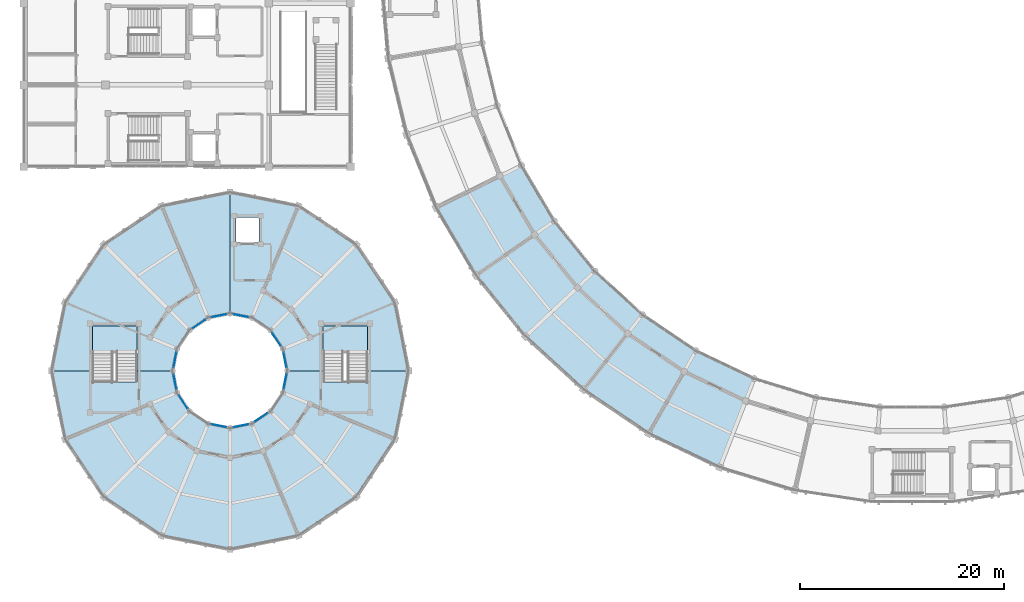
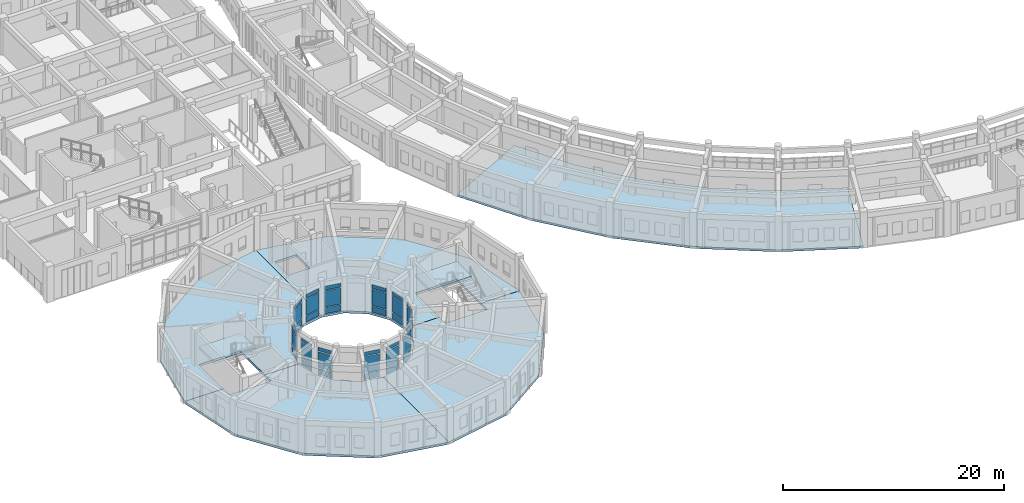
# One storey, part 102 of 159: 36 plates, 7 slabs, 14 elements without a shape of their own.
"""IFC4 building model written with IfcOpenShell, lengths in metres."""

from ifc_helpers import new_model, si_unit, direction, frame, origin, origin_2d, place, context, subcontext, project, spatial, polyline, rectangle, outline, extrude, material, layer, layer_set, type_object, element, aggregate, save


model = new_model("IFC4")

# Units and contexts
model_context = context("Model", 3, precision=1e-05, world=origin(), true_north=direction((0.0, 1.0)))
body_context = subcontext(model_context, "Body", "Model", "MODEL_VIEW")
ifc_project = project(units=[si_unit("LENGTHUNIT", "METRE"), si_unit("AREAUNIT", "SQUARE_METRE"), si_unit("VOLUMEUNIT", "CUBIC_METRE"), si_unit("PLANEANGLEUNIT", "RADIAN"), si_unit("MASSUNIT", "GRAM", prefix="KILO")], contexts=[model_context])

# Site, building, storey
site_placement = place(None, origin())
site = spatial("IfcSite", under=ifc_project, at=site_placement, CompositionType="ELEMENT")
building_placement = place(site_placement, origin())
building = spatial("IfcBuilding", under=site, at=building_placement, Name="Celadon Cloister-Ring School", CompositionType="ELEMENT")
storey_placement = place(building_placement, frame((0.0, 0.0, 4.5)))
storey = spatial("IfcBuildingStorey", under=building, at=storey_placement, Name="L01", CompositionType="ELEMENT", Elevation=4.5)

# Curtain wall, plates
ifc_material_1 = material(Name="Aluminium EN AW-6063 T6", Category="aluminium")
curtain_wall_type = type_object("IfcCurtainWallType", Name="CW-04", PredefinedType="USERDEFINED", material=ifc_material_1)
curtain_wall_1_placement = place(storey_placement, origin())
curtain_wall_1 = element("IfcCurtainWall", 1, at=curtain_wall_1_placement, inside=storey, type_object=curtain_wall_type, Name="Curtain Wall 0139", ObjectType="CURTAIN WALL", PredefinedType="USERDEFINED")
ifc_material_2 = material(Name="Tempered laminated insulating glass", Category="glass")
ifc_layer_1 = layer(ifc_material_2, 0.02001953125)
ifc_layer_set_1 = layer_set([ifc_layer_1], Name="Tempered laminated insulating glass")
plate_type = type_object("IfcPlateType", Name="CPN-01", PredefinedType="CURTAIN_PANEL", material=ifc_layer_set_1)
plate_1_placement = place(storey_placement, frame((25.5869140625, 21.071533203125, 0.090087890625), z_axis=(0.0, 0.0, 1.0), x_axis=(-0.194586131301, 0.980885435464, 0.0)))
plate_1 = element("IfcPlate", 2, at=plate_1_placement, type_object=plate_type, Name="CW-04 panel 1.1", PredefinedType="CURTAIN_PANEL", context=body_context, shape_type="SweptSolid", body=[
    extrude(rectangle(XDim=1.4443359375, YDim=0.02001953125, at=origin_2d()), origin(), (0.0, 0.0, 1.0), 0.6650390625),
])
plate_2_placement = place(storey_placement, frame((25.5869140625, 21.071533203125, 0.84521484375), z_axis=(0.0, 0.0, 1.0), x_axis=(-0.194586131301, 0.980885435464, 0.0)))
plate_2 = element("IfcPlate", 3, at=plate_2_placement, type_object=plate_type, Name="CW-04 panel 1.2", PredefinedType="CURTAIN_PANEL", context=body_context, shape_type="SweptSolid", body=[
    extrude(rectangle(XDim=1.4443359375, YDim=0.02001953125, at=origin_2d()), origin(), (0.0, 0.0, 1.0), 1.781982421875),
])
plate_3_placement = place(storey_placement, frame((25.5869140625, 21.071533203125, 2.717041015625), z_axis=(0.0, 0.0, 1.0), x_axis=(-0.194586131301, 0.980885435464, 0.0)))
plate_3 = element("IfcPlate", 4, at=plate_3_placement, type_object=plate_type, Name="CW-04 panel 1.3", PredefinedType="CURTAIN_PANEL", context=body_context, shape_type="SweptSolid", body=[
    extrude(rectangle(XDim=1.4443359375, YDim=0.02001953125, at=origin_2d()), origin(), (0.0, 0.0, 1.0), 0.4150390625),
])
aggregate(curtain_wall_1, [plate_1, plate_2, plate_3])

curtain_wall_2_placement = place(storey_placement, origin())
curtain_wall_2 = element("IfcCurtainWall", 5, at=curtain_wall_2_placement, inside=storey, type_object=curtain_wall_type, Name="Curtain Wall 0140", ObjectType="CURTAIN WALL", PredefinedType="USERDEFINED")
plate_4_placement = place(storey_placement, frame((24.76708984375, 23.051513671875, 0.090087890625), z_axis=(0.0, 0.0, 1.0), x_axis=(-0.555547066224, 0.831485091394, 0.0)))
plate_4 = element("IfcPlate", 6, at=plate_4_placement, type_object=plate_type, Name="CW-04 panel 1.1", PredefinedType="CURTAIN_PANEL", context=body_context, shape_type="SweptSolid", body=[
    extrude(rectangle(XDim=1.4443359375, YDim=0.02001953125, at=origin_2d()), origin(), (0.0, 0.0, 1.0), 0.6650390625),
])
plate_5_placement = place(storey_placement, frame((24.76708984375, 23.051513671875, 0.84521484375), z_axis=(0.0, 0.0, 1.0), x_axis=(-0.555547066224, 0.831485091394, 0.0)))
plate_5 = element("IfcPlate", 7, at=plate_5_placement, type_object=plate_type, Name="CW-04 panel 1.2", PredefinedType="CURTAIN_PANEL", context=body_context, shape_type="SweptSolid", body=[
    extrude(rectangle(XDim=1.4443359375, YDim=0.02001953125, at=origin_2d()), origin(), (0.0, 0.0, 1.0), 1.781982421875),
])
plate_6_placement = place(storey_placement, frame((24.76708984375, 23.051513671875, 2.717041015625), z_axis=(0.0, 0.0, 1.0), x_axis=(-0.555547066224, 0.831485091394, 0.0)))
plate_6 = element("IfcPlate", 8, at=plate_6_placement, type_object=plate_type, Name="CW-04 panel 1.3", PredefinedType="CURTAIN_PANEL", context=body_context, shape_type="SweptSolid", body=[
    extrude(rectangle(XDim=1.4443359375, YDim=0.02001953125, at=origin_2d()), origin(), (0.0, 0.0, 1.0), 0.4150390625),
])
aggregate(curtain_wall_2, [plate_4, plate_5, plate_6])

curtain_wall_3_placement = place(storey_placement, origin())
curtain_wall_3 = element("IfcCurtainWall", 9, at=curtain_wall_3_placement, inside=storey, type_object=curtain_wall_type, Name="Curtain Wall 0141", ObjectType="CURTAIN WALL", PredefinedType="USERDEFINED")
plate_7_placement = place(storey_placement, frame((21.271484375, 25.386962890625, 0.090087890625), z_axis=(0.0, 0.0, 1.0), x_axis=(-0.980885435464, 0.194586131301, 0.0)))
plate_7 = element("IfcPlate", 10, at=plate_7_placement, type_object=plate_type, Name="CW-04 panel 1.1", PredefinedType="CURTAIN_PANEL", context=body_context, shape_type="SweptSolid", body=[
    extrude(rectangle(XDim=1.4443359375, YDim=0.02001953125, at=origin_2d()), origin(), (0.0, 0.0, 1.0), 0.6650390625),
])
plate_8_placement = place(storey_placement, frame((21.271484375, 25.386962890625, 0.84521484375), z_axis=(0.0, 0.0, 1.0), x_axis=(-0.980885435464, 0.194586131301, 0.0)))
plate_8 = element("IfcPlate", 11, at=plate_8_placement, type_object=plate_type, Name="CW-04 panel 1.2", PredefinedType="CURTAIN_PANEL", context=body_context, shape_type="SweptSolid", body=[
    extrude(rectangle(XDim=1.4443359375, YDim=0.02001953125, at=origin_2d()), origin(), (0.0, 0.0, 1.0), 1.781982421875),
])
plate_9_placement = place(storey_placement, frame((21.271484375, 25.386962890625, 2.717041015625), z_axis=(0.0, 0.0, 1.0), x_axis=(-0.980885435464, 0.194586131301, 0.0)))
plate_9 = element("IfcPlate", 12, at=plate_9_placement, type_object=plate_type, Name="CW-04 panel 1.3", PredefinedType="CURTAIN_PANEL", context=body_context, shape_type="SweptSolid", body=[
    extrude(rectangle(XDim=1.4443359375, YDim=0.02001953125, at=origin_2d()), origin(), (0.0, 0.0, 1.0), 0.4150390625),
])
aggregate(curtain_wall_3, [plate_7, plate_8, plate_9])

curtain_wall_4_placement = place(storey_placement, origin())
curtain_wall_4 = element("IfcCurtainWall", 13, at=curtain_wall_4_placement, inside=storey, type_object=curtain_wall_type, Name="Curtain Wall 0142", ObjectType="CURTAIN WALL", PredefinedType="USERDEFINED")
plate_10_placement = place(storey_placement, frame((19.12841796875, 25.386962890625, 0.090087890625), z_axis=(0.0, 0.0, 1.0), x_axis=(-0.980885435464, -0.194586131301, 0.0)))
plate_10 = element("IfcPlate", 14, at=plate_10_placement, type_object=plate_type, Name="CW-04 panel 1.1", PredefinedType="CURTAIN_PANEL", context=body_context, shape_type="SweptSolid", body=[
    extrude(rectangle(XDim=1.4443359375, YDim=0.02001953125, at=origin_2d()), origin(), (0.0, 0.0, 1.0), 0.6650390625),
])
plate_11_placement = place(storey_placement, frame((19.12841796875, 25.386962890625, 0.84521484375), z_axis=(0.0, 0.0, 1.0), x_axis=(-0.980885435464, -0.194586131301, 0.0)))
plate_11 = element("IfcPlate", 15, at=plate_11_placement, type_object=plate_type, Name="CW-04 panel 1.2", PredefinedType="CURTAIN_PANEL", context=body_context, shape_type="SweptSolid", body=[
    extrude(rectangle(XDim=1.4443359375, YDim=0.02001953125, at=origin_2d()), origin(), (0.0, 0.0, 1.0), 1.781982421875),
])
plate_12_placement = place(storey_placement, frame((19.12841796875, 25.386962890625, 2.717041015625), z_axis=(0.0, 0.0, 1.0), x_axis=(-0.980885435464, -0.194586131301, 0.0)))
plate_12 = element("IfcPlate", 16, at=plate_12_placement, type_object=plate_type, Name="CW-04 panel 1.3", PredefinedType="CURTAIN_PANEL", context=body_context, shape_type="SweptSolid", body=[
    extrude(rectangle(XDim=1.4443359375, YDim=0.02001953125, at=origin_2d()), origin(), (0.0, 0.0, 1.0), 0.4150390625),
])
aggregate(curtain_wall_4, [plate_10, plate_11, plate_12])

curtain_wall_5_placement = place(storey_placement, origin())
curtain_wall_5 = element("IfcCurtainWall", 17, at=curtain_wall_5_placement, inside=storey, type_object=curtain_wall_type, Name="Curtain Wall 0143", ObjectType="CURTAIN WALL", PredefinedType="USERDEFINED")
plate_13_placement = place(storey_placement, frame((17.1484375, 24.56689453125, 0.090087890625), z_axis=(0.0, 0.0, 1.0), x_axis=(-0.831485091394, -0.555547066224, 0.0)))
plate_13 = element("IfcPlate", 18, at=plate_13_placement, type_object=plate_type, Name="CW-04 panel 1.1", PredefinedType="CURTAIN_PANEL", context=body_context, shape_type="SweptSolid", body=[
    extrude(rectangle(XDim=1.4443359375, YDim=0.02001953125, at=origin_2d()), origin(), (0.0, 0.0, 1.0), 0.6650390625),
])
plate_14_placement = place(storey_placement, frame((17.1484375, 24.56689453125, 0.84521484375), z_axis=(0.0, 0.0, 1.0), x_axis=(-0.831485091394, -0.555547066224, 0.0)))
plate_14 = element("IfcPlate", 19, at=plate_14_placement, type_object=plate_type, Name="CW-04 panel 1.2", PredefinedType="CURTAIN_PANEL", context=body_context, shape_type="SweptSolid", body=[
    extrude(rectangle(XDim=1.4443359375, YDim=0.02001953125, at=origin_2d()), origin(), (0.0, 0.0, 1.0), 1.781982421875),
])
plate_15_placement = place(storey_placement, frame((17.1484375, 24.56689453125, 2.717041015625), z_axis=(0.0, 0.0, 1.0), x_axis=(-0.831485091394, -0.555547066224, 0.0)))
plate_15 = element("IfcPlate", 20, at=plate_15_placement, type_object=plate_type, Name="CW-04 panel 1.3", PredefinedType="CURTAIN_PANEL", context=body_context, shape_type="SweptSolid", body=[
    extrude(rectangle(XDim=1.4443359375, YDim=0.02001953125, at=origin_2d()), origin(), (0.0, 0.0, 1.0), 0.4150390625),
])
aggregate(curtain_wall_5, [plate_13, plate_14, plate_15])

curtain_wall_6_placement = place(storey_placement, origin())
curtain_wall_6 = element("IfcCurtainWall", 21, at=curtain_wall_6_placement, inside=storey, type_object=curtain_wall_type, Name="Curtain Wall 0144", ObjectType="CURTAIN WALL", PredefinedType="USERDEFINED")
plate_16_placement = place(storey_placement, frame((14.81298828125, 21.071533203125, 0.090087890625), z_axis=(0.0, 0.0, 1.0), x_axis=(-0.194586131301, -0.980885435464, 0.0)))
plate_16 = element("IfcPlate", 22, at=plate_16_placement, type_object=plate_type, Name="CW-04 panel 1.1", PredefinedType="CURTAIN_PANEL", context=body_context, shape_type="SweptSolid", body=[
    extrude(rectangle(XDim=1.4443359375, YDim=0.02001953125, at=origin_2d()), origin(), (0.0, 0.0, 1.0), 0.6650390625),
])
plate_17_placement = place(storey_placement, frame((14.81298828125, 21.071533203125, 0.84521484375), z_axis=(0.0, 0.0, 1.0), x_axis=(-0.194586131301, -0.980885435464, 0.0)))
plate_17 = element("IfcPlate", 23, at=plate_17_placement, type_object=plate_type, Name="CW-04 panel 1.2", PredefinedType="CURTAIN_PANEL", context=body_context, shape_type="SweptSolid", body=[
    extrude(rectangle(XDim=1.4443359375, YDim=0.02001953125, at=origin_2d()), origin(), (0.0, 0.0, 1.0), 1.781982421875),
])
plate_18_placement = place(storey_placement, frame((14.81298828125, 21.071533203125, 2.717041015625), z_axis=(0.0, 0.0, 1.0), x_axis=(-0.194586131301, -0.980885435464, 0.0)))
plate_18 = element("IfcPlate", 24, at=plate_18_placement, type_object=plate_type, Name="CW-04 panel 1.3", PredefinedType="CURTAIN_PANEL", context=body_context, shape_type="SweptSolid", body=[
    extrude(rectangle(XDim=1.4443359375, YDim=0.02001953125, at=origin_2d()), origin(), (0.0, 0.0, 1.0), 0.4150390625),
])
aggregate(curtain_wall_6, [plate_16, plate_17, plate_18])

curtain_wall_7_placement = place(storey_placement, origin())
curtain_wall_7 = element("IfcCurtainWall", 25, at=curtain_wall_7_placement, inside=storey, type_object=curtain_wall_type, Name="Curtain Wall 0145", ObjectType="CURTAIN WALL", PredefinedType="USERDEFINED")
plate_19_placement = place(storey_placement, frame((14.81298828125, 18.928466796875, 0.090087890625), z_axis=(0.0, 0.0, 1.0), x_axis=(0.194586131301, -0.980885435464, 0.0)))
plate_19 = element("IfcPlate", 26, at=plate_19_placement, type_object=plate_type, Name="CW-04 panel 1.1", PredefinedType="CURTAIN_PANEL", context=body_context, shape_type="SweptSolid", body=[
    extrude(rectangle(XDim=1.4443359375, YDim=0.02001953125, at=origin_2d()), origin(), (0.0, 0.0, 1.0), 0.6650390625),
])
plate_20_placement = place(storey_placement, frame((14.81298828125, 18.928466796875, 0.84521484375), z_axis=(0.0, 0.0, 1.0), x_axis=(0.194586131301, -0.980885435464, 0.0)))
plate_20 = element("IfcPlate", 27, at=plate_20_placement, type_object=plate_type, Name="CW-04 panel 1.2", PredefinedType="CURTAIN_PANEL", context=body_context, shape_type="SweptSolid", body=[
    extrude(rectangle(XDim=1.4443359375, YDim=0.02001953125, at=origin_2d()), origin(), (0.0, 0.0, 1.0), 1.781982421875),
])
plate_21_placement = place(storey_placement, frame((14.81298828125, 18.928466796875, 2.717041015625), z_axis=(0.0, 0.0, 1.0), x_axis=(0.194586131301, -0.980885435464, 0.0)))
plate_21 = element("IfcPlate", 28, at=plate_21_placement, type_object=plate_type, Name="CW-04 panel 1.3", PredefinedType="CURTAIN_PANEL", context=body_context, shape_type="SweptSolid", body=[
    extrude(rectangle(XDim=1.4443359375, YDim=0.02001953125, at=origin_2d()), origin(), (0.0, 0.0, 1.0), 0.4150390625),
])
aggregate(curtain_wall_7, [plate_19, plate_20, plate_21])

curtain_wall_8_placement = place(storey_placement, origin())
curtain_wall_8 = element("IfcCurtainWall", 29, at=curtain_wall_8_placement, inside=storey, type_object=curtain_wall_type, Name="Curtain Wall 0146", ObjectType="CURTAIN WALL", PredefinedType="USERDEFINED")
plate_22_placement = place(storey_placement, frame((15.633056640625, 16.948486328125, 0.090087890625), z_axis=(0.0, 0.0, 1.0), x_axis=(0.555547066224, -0.831485091394, 0.0)))
plate_22 = element("IfcPlate", 30, at=plate_22_placement, type_object=plate_type, Name="CW-04 panel 1.1", PredefinedType="CURTAIN_PANEL", context=body_context, shape_type="SweptSolid", body=[
    extrude(rectangle(XDim=1.4443359375, YDim=0.02001953125, at=origin_2d()), origin(), (0.0, 0.0, 1.0), 0.6650390625),
])
plate_23_placement = place(storey_placement, frame((15.633056640625, 16.948486328125, 0.84521484375), z_axis=(0.0, 0.0, 1.0), x_axis=(0.555547066224, -0.831485091394, 0.0)))
plate_23 = element("IfcPlate", 31, at=plate_23_placement, type_object=plate_type, Name="CW-04 panel 1.2", PredefinedType="CURTAIN_PANEL", context=body_context, shape_type="SweptSolid", body=[
    extrude(rectangle(XDim=1.4443359375, YDim=0.02001953125, at=origin_2d()), origin(), (0.0, 0.0, 1.0), 1.781982421875),
])
plate_24_placement = place(storey_placement, frame((15.633056640625, 16.948486328125, 2.717041015625), z_axis=(0.0, 0.0, 1.0), x_axis=(0.555547066224, -0.831485091394, 0.0)))
plate_24 = element("IfcPlate", 32, at=plate_24_placement, type_object=plate_type, Name="CW-04 panel 1.3", PredefinedType="CURTAIN_PANEL", context=body_context, shape_type="SweptSolid", body=[
    extrude(rectangle(XDim=1.4443359375, YDim=0.02001953125, at=origin_2d()), origin(), (0.0, 0.0, 1.0), 0.4150390625),
])
aggregate(curtain_wall_8, [plate_22, plate_23, plate_24])

curtain_wall_9_placement = place(storey_placement, origin())
curtain_wall_9 = element("IfcCurtainWall", 33, at=curtain_wall_9_placement, inside=storey, type_object=curtain_wall_type, Name="Curtain Wall 0147", ObjectType="CURTAIN WALL", PredefinedType="USERDEFINED")
plate_25_placement = place(storey_placement, frame((19.12841796875, 14.613037109375, 0.090087890625), z_axis=(0.0, 0.0, 1.0), x_axis=(0.980885435464, -0.194586131301, 0.0)))
plate_25 = element("IfcPlate", 34, at=plate_25_placement, type_object=plate_type, Name="CW-04 panel 1.1", PredefinedType="CURTAIN_PANEL", context=body_context, shape_type="SweptSolid", body=[
    extrude(rectangle(XDim=1.4443359375, YDim=0.02001953125, at=origin_2d()), origin(), (0.0, 0.0, 1.0), 0.6650390625),
])
plate_26_placement = place(storey_placement, frame((19.12841796875, 14.613037109375, 0.84521484375), z_axis=(0.0, 0.0, 1.0), x_axis=(0.980885435464, -0.194586131301, 0.0)))
plate_26 = element("IfcPlate", 35, at=plate_26_placement, type_object=plate_type, Name="CW-04 panel 1.2", PredefinedType="CURTAIN_PANEL", context=body_context, shape_type="SweptSolid", body=[
    extrude(rectangle(XDim=1.4443359375, YDim=0.02001953125, at=origin_2d()), origin(), (0.0, 0.0, 1.0), 1.781982421875),
])
plate_27_placement = place(storey_placement, frame((19.12841796875, 14.613037109375, 2.717041015625), z_axis=(0.0, 0.0, 1.0), x_axis=(0.980885435464, -0.194586131301, 0.0)))
plate_27 = element("IfcPlate", 36, at=plate_27_placement, type_object=plate_type, Name="CW-04 panel 1.3", PredefinedType="CURTAIN_PANEL", context=body_context, shape_type="SweptSolid", body=[
    extrude(rectangle(XDim=1.4443359375, YDim=0.02001953125, at=origin_2d()), origin(), (0.0, 0.0, 1.0), 0.4150390625),
])
aggregate(curtain_wall_9, [plate_25, plate_26, plate_27])

curtain_wall_10_placement = place(storey_placement, origin())
curtain_wall_10 = element("IfcCurtainWall", 37, at=curtain_wall_10_placement, inside=storey, type_object=curtain_wall_type, Name="Curtain Wall 0148", ObjectType="CURTAIN WALL", PredefinedType="USERDEFINED")
plate_28_placement = place(storey_placement, frame((21.271484375, 14.613037109375, 0.090087890625), z_axis=(0.0, 0.0, 1.0), x_axis=(0.980885435464, 0.194586131301, 0.0)))
plate_28 = element("IfcPlate", 38, at=plate_28_placement, type_object=plate_type, Name="CW-04 panel 1.1", PredefinedType="CURTAIN_PANEL", context=body_context, shape_type="SweptSolid", body=[
    extrude(rectangle(XDim=1.4443359375, YDim=0.02001953125, at=origin_2d()), origin(), (0.0, 0.0, 1.0), 0.6650390625),
])
plate_29_placement = place(storey_placement, frame((21.271484375, 14.613037109375, 0.84521484375), z_axis=(0.0, 0.0, 1.0), x_axis=(0.980885435464, 0.194586131301, 0.0)))
plate_29 = element("IfcPlate", 39, at=plate_29_placement, type_object=plate_type, Name="CW-04 panel 1.2", PredefinedType="CURTAIN_PANEL", context=body_context, shape_type="SweptSolid", body=[
    extrude(rectangle(XDim=1.4443359375, YDim=0.02001953125, at=origin_2d()), origin(), (0.0, 0.0, 1.0), 1.781982421875),
])
plate_30_placement = place(storey_placement, frame((21.271484375, 14.613037109375, 2.717041015625), z_axis=(0.0, 0.0, 1.0), x_axis=(0.980885435464, 0.194586131301, 0.0)))
plate_30 = element("IfcPlate", 40, at=plate_30_placement, type_object=plate_type, Name="CW-04 panel 1.3", PredefinedType="CURTAIN_PANEL", context=body_context, shape_type="SweptSolid", body=[
    extrude(rectangle(XDim=1.4443359375, YDim=0.02001953125, at=origin_2d()), origin(), (0.0, 0.0, 1.0), 0.4150390625),
])
aggregate(curtain_wall_10, [plate_28, plate_29, plate_30])

curtain_wall_11_placement = place(storey_placement, origin())
curtain_wall_11 = element("IfcCurtainWall", 41, at=curtain_wall_11_placement, inside=storey, type_object=curtain_wall_type, Name="Curtain Wall 0149", ObjectType="CURTAIN WALL", PredefinedType="USERDEFINED")
plate_31_placement = place(storey_placement, frame((23.25146484375, 15.43310546875, 0.090087890625), z_axis=(0.0, 0.0, 1.0), x_axis=(0.831485091394, 0.555547066224, 0.0)))
plate_31 = element("IfcPlate", 42, at=plate_31_placement, type_object=plate_type, Name="CW-04 panel 1.1", PredefinedType="CURTAIN_PANEL", context=body_context, shape_type="SweptSolid", body=[
    extrude(rectangle(XDim=1.4443359375, YDim=0.02001953125, at=origin_2d()), origin(), (0.0, 0.0, 1.0), 0.6650390625),
])
plate_32_placement = place(storey_placement, frame((23.25146484375, 15.43310546875, 0.84521484375), z_axis=(0.0, 0.0, 1.0), x_axis=(0.831485091394, 0.555547066224, 0.0)))
plate_32 = element("IfcPlate", 43, at=plate_32_placement, type_object=plate_type, Name="CW-04 panel 1.2", PredefinedType="CURTAIN_PANEL", context=body_context, shape_type="SweptSolid", body=[
    extrude(rectangle(XDim=1.4443359375, YDim=0.02001953125, at=origin_2d()), origin(), (0.0, 0.0, 1.0), 1.781982421875),
])
plate_33_placement = place(storey_placement, frame((23.25146484375, 15.43310546875, 2.717041015625), z_axis=(0.0, 0.0, 1.0), x_axis=(0.831485091394, 0.555547066224, 0.0)))
plate_33 = element("IfcPlate", 44, at=plate_33_placement, type_object=plate_type, Name="CW-04 panel 1.3", PredefinedType="CURTAIN_PANEL", context=body_context, shape_type="SweptSolid", body=[
    extrude(rectangle(XDim=1.4443359375, YDim=0.02001953125, at=origin_2d()), origin(), (0.0, 0.0, 1.0), 0.4150390625),
])
aggregate(curtain_wall_11, [plate_31, plate_32, plate_33])

curtain_wall_12_placement = place(storey_placement, origin())
curtain_wall_12 = element("IfcCurtainWall", 45, at=curtain_wall_12_placement, inside=storey, type_object=curtain_wall_type, Name="Curtain Wall 0150", ObjectType="CURTAIN WALL", PredefinedType="USERDEFINED")
plate_34_placement = place(storey_placement, frame((25.5869140625, 18.928466796875, 0.090087890625), z_axis=(0.0, 0.0, 1.0), x_axis=(0.194586131301, 0.980885435464, 0.0)))
plate_34 = element("IfcPlate", 46, at=plate_34_placement, type_object=plate_type, Name="CW-04 panel 1.1", PredefinedType="CURTAIN_PANEL", context=body_context, shape_type="SweptSolid", body=[
    extrude(rectangle(XDim=1.4443359375, YDim=0.02001953125, at=origin_2d()), origin(), (0.0, 0.0, 1.0), 0.6650390625),
])
plate_35_placement = place(storey_placement, frame((25.5869140625, 18.928466796875, 0.84521484375), z_axis=(0.0, 0.0, 1.0), x_axis=(0.194586131301, 0.980885435464, 0.0)))
plate_35 = element("IfcPlate", 47, at=plate_35_placement, type_object=plate_type, Name="CW-04 panel 1.2", PredefinedType="CURTAIN_PANEL", context=body_context, shape_type="SweptSolid", body=[
    extrude(rectangle(XDim=1.4443359375, YDim=0.02001953125, at=origin_2d()), origin(), (0.0, 0.0, 1.0), 1.781982421875),
])
plate_36_placement = place(storey_placement, frame((25.5869140625, 18.928466796875, 2.717041015625), z_axis=(0.0, 0.0, 1.0), x_axis=(0.194586131301, 0.980885435464, 0.0)))
plate_36 = element("IfcPlate", 48, at=plate_36_placement, type_object=plate_type, Name="CW-04 panel 1.3", PredefinedType="CURTAIN_PANEL", context=body_context, shape_type="SweptSolid", body=[
    extrude(rectangle(XDim=1.4443359375, YDim=0.02001953125, at=origin_2d()), origin(), (0.0, 0.0, 1.0), 0.4150390625),
])
aggregate(curtain_wall_12, [plate_34, plate_35, plate_36])

# Slabs
ifc_material_3 = material(Name="Concrete C35/45", Category="concrete")
ifc_layer_2 = layer(ifc_material_3, 0.219970703125)
ifc_layer_set_2 = layer_set([ifc_layer_2], Name="Concrete C35/45")
slab_type_1 = type_object("IfcSlabType", Name="SL-FL2", PredefinedType="FLOOR", material=ifc_layer_set_2)
slab_1_placement = place(storey_placement, frame((0.0, 0.0, -0.219970703125)))
element("IfcSlab", 49, at=slab_1_placement, inside=storey, type_object=slab_type_1, Name="Ring L01 Sector 0010", PredefinedType="FLOOR", context=body_context, shape_type="SweptSolid", body=[
    extrude(outline(polyline([(48.758056640625, 40.115966796875), (51.968017578125, 34.674072265625), (55.946044921875, 29.764892578125), (60.60595703125, 25.498046875), (65.844970703125, 21.966064453125), (71.549072265625, 19.2470703125), (68.162109375, 10.531982421875), (61.2080078125, 13.846923828125), (54.820068359375, 18.153076171875), (49.137939453125, 23.35595703125), (44.2880859375, 29.341064453125), (40.375, 35.97705078125), (48.758056640625, 40.115966796875)])), origin(), (0.0, 0.0, 1.0), 0.219970703125),
])
ifc_material_4 = material(Name="Concrete C35/45", Category="concrete")
ifc_layer_3 = layer(ifc_material_4, 0.239990234375)
ifc_layer_set_3 = layer_set([ifc_layer_3], Name="Concrete C35/45")
slab_type_2 = type_object("IfcSlabType", Name="SL-FL3", PredefinedType="FLOOR", material=ifc_layer_set_3)
slab_2_placement = place(storey_placement, frame((0.0, 0.0, -0.239990234375)))
element("IfcSlab", 50, at=slab_2_placement, inside=storey, type_object=slab_type_2, Name="V5a Ring L01 Sector 0049", PredefinedType="FLOOR", context=body_context, shape_type="SweptSolid", body=[
    extrude(outline(polyline([(25.800048828125, 20.0), (25.3740234375, 22.14306640625), (24.159912109375, 23.9599609375), (22.343017578125, 25.174072265625), (20.199951171875, 25.60009765625), (20.199951171875, 37.5), (26.89697265625, 36.16796875), (32.573974609375, 32.3740234375), (36.367919921875, 26.697021484375), (37.699951171875, 20.0), (33.679931640625, 20.0), (33.679931640625, 24.39990234375), (29.320068359375, 24.39990234375), (29.320068359375, 20.0), (25.800048828125, 20.0)]), holes=[polyline([(23.02001953125, 32.580078125), (23.02001953125, 35.02001953125), (20.780029296875, 35.02001953125), (20.780029296875, 32.580078125), (23.02001953125, 32.580078125)])]), origin(), (0.0, 0.0, 1.0), 0.239990234375),
])
slab_3_placement = place(storey_placement, frame((0.0, 0.0, -0.239990234375)))
element("IfcSlab", 51, at=slab_3_placement, inside=storey, type_object=slab_type_2, Name="V5a Ring L01 Sector 0050", PredefinedType="FLOOR", context=body_context, shape_type="SweptSolid", body=[
    extrude(outline(polyline([(2.699951171875, 20.0), (4.031982421875, 26.697021484375), (7.825927734375, 32.3740234375), (13.5029296875, 36.16796875), (20.199951171875, 37.5), (20.199951171875, 25.60009765625), (18.056884765625, 25.174072265625), (16.239990234375, 23.9599609375), (15.02587890625, 22.14306640625), (14.60009765625, 20.0), (11.080078125, 20.0), (11.080078125, 24.39990234375), (6.719970703125, 24.39990234375), (6.719970703125, 20.0), (2.699951171875, 20.0)])), origin(), (0.0, 0.0, 1.0), 0.239990234375),
])
slab_4_placement = place(storey_placement, frame((0.0, 0.0, -0.239990234375)))
element("IfcSlab", 52, at=slab_4_placement, inside=storey, type_object=slab_type_2, Name="V5a Ring L01 Sector 0051", PredefinedType="FLOOR", context=body_context, shape_type="SweptSolid", body=[
    extrude(outline(polyline([(14.60009765625, 20.0), (15.02587890625, 17.85693359375), (16.239990234375, 16.0400390625), (18.056884765625, 14.825927734375), (20.199951171875, 14.39990234375), (20.199951171875, 2.5), (13.5029296875, 3.83203125), (7.825927734375, 7.6259765625), (4.031982421875, 13.302978515625), (2.699951171875, 20.0), (6.719970703125, 20.0), (6.719970703125, 18.9150390625), (11.080078125, 18.9150390625), (11.080078125, 20.0), (14.60009765625, 20.0)])), origin(), (0.0, 0.0, 1.0), 0.239990234375),
])
slab_5_placement = place(storey_placement, frame((0.0, 0.0, -0.239990234375)))
element("IfcSlab", 53, at=slab_5_placement, inside=storey, type_object=slab_type_2, Name="V5a Ring L01 Sector 0052", PredefinedType="FLOOR", context=body_context, shape_type="SweptSolid", body=[
    extrude(outline(polyline([(37.699951171875, 20.0), (36.367919921875, 13.302978515625), (32.573974609375, 7.6259765625), (26.89697265625, 3.83203125), (20.199951171875, 2.5), (20.199951171875, 14.39990234375), (22.343017578125, 14.825927734375), (24.159912109375, 16.0400390625), (25.3740234375, 17.85693359375), (25.800048828125, 20.0), (29.320068359375, 20.0), (29.320068359375, 18.9150390625), (33.679931640625, 18.9150390625), (33.679931640625, 20.0), (37.699951171875, 20.0)])), origin(), (0.0, 0.0, 1.0), 0.239990234375),
])

# Stair, slab
ifc_material_5 = material(Name="Concrete C35/45", Category="concrete")
stair_type_1 = type_object("IfcStairType", Name="ST-02", PredefinedType="HALF_TURN_STAIR", material=ifc_material_5)
stair_1_placement = place(storey_placement, origin())
stair_1 = element("IfcStair", 54, at=stair_1_placement, inside=storey, type_object=stair_type_1, Name="Exit Stair ST-V5L1 L01", PredefinedType="HALF_TURN_STAIR")
ifc_material_6 = material(Name="Concrete C35/45", Category="concrete")
ifc_layer_4 = layer(ifc_material_6, 0.280029296875)
ifc_layer_set_4 = layer_set([ifc_layer_4], Name="Concrete C35/45")
slab_type_3 = type_object("IfcSlabType", Name="SL-LD1", PredefinedType="LANDING", material=ifc_layer_set_4)
slab_6_placement = place(storey_placement, frame((0.0, 0.0, 1.719970703125)))
slab_6 = element("IfcSlab", 55, at=slab_6_placement, type_object=slab_type_3, Name="ST-02 landing 1", PredefinedType="LANDING", context=body_context, shape_type="SweptSolid", body=[
    extrude(outline(polyline([(6.719970703125, 21.68994140625), (11.080078125, 21.68994140625), (11.080078125, 24.39990234375), (6.719970703125, 24.39990234375), (6.719970703125, 21.68994140625)])), origin(), (0.0, 0.0, 1.0), 0.280029296875),
])
aggregate(stair_1, [slab_6])

ifc_material_7 = material(Name="Concrete C35/45", Category="concrete")
stair_type_2 = type_object("IfcStairType", Name="ST-04", PredefinedType="HALF_TURN_STAIR", material=ifc_material_7)
stair_2_placement = place(storey_placement, origin())
stair_2 = element("IfcStair", 56, at=stair_2_placement, inside=storey, type_object=stair_type_2, Name="Exit Stair ST-V5L2 L01", PredefinedType="HALF_TURN_STAIR")
ifc_material_8 = material(Name="Concrete C35/45", Category="concrete")
ifc_layer_5 = layer(ifc_material_8, 0.300048828125)
ifc_layer_set_5 = layer_set([ifc_layer_5], Name="Concrete C35/45")
slab_type_4 = type_object("IfcSlabType", Name="SL-LD2", PredefinedType="LANDING", material=ifc_layer_set_5)
slab_7_placement = place(storey_placement, frame((0.0, 0.0, 1.699951171875)))
slab_7 = element("IfcSlab", 57, at=slab_7_placement, type_object=slab_type_4, Name="ST-04 landing 1", PredefinedType="LANDING", context=body_context, shape_type="SweptSolid", body=[
    extrude(outline(polyline([(29.320068359375, 21.68994140625), (33.679931640625, 21.68994140625), (33.679931640625, 24.39990234375), (29.320068359375, 24.39990234375), (29.320068359375, 21.68994140625)])), origin(), (0.0, 0.0, 1.0), 0.300048828125),
])
aggregate(stair_2, [slab_7])

save(model, "model.ifc")
